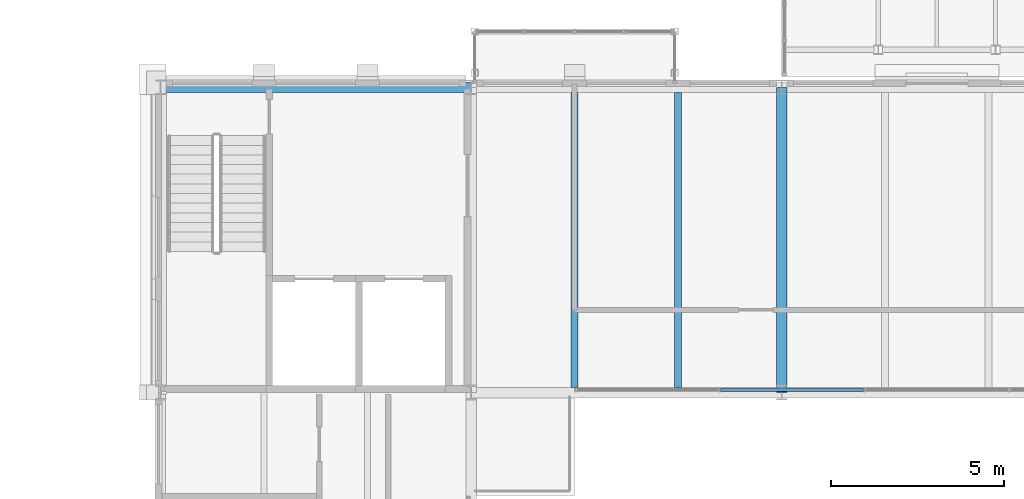
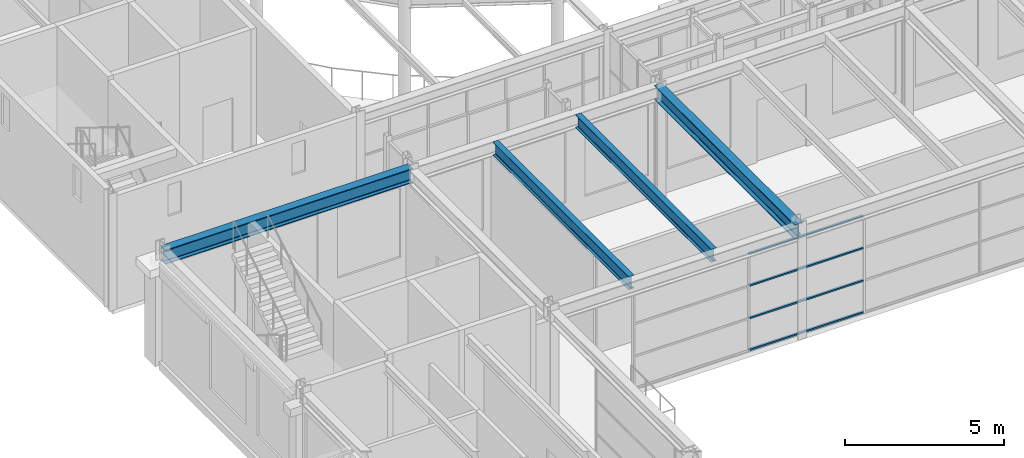
# One storey, part 33 of 111: 4 beams, 4 members, 1 element without a shape of its own.
"""IFC4 building model written with IfcOpenShell, lengths in metres."""

from ifc_helpers import new_model, si_unit, direction, frame, origin, origin_2d, place, context, subcontext, project, spatial, hollow_rectangle, i_section, extrude, material, material_profile, profile_set, type_object, element, aggregate, save


model = new_model("IFC4")

# Units and contexts
model_context = context("Model", 3, precision=1e-05, world=origin(), true_north=direction((0.0, 1.0)))
body_context = subcontext(model_context, "Body", "Model", "MODEL_VIEW")
ifc_project = project(units=[si_unit("LENGTHUNIT", "METRE"), si_unit("AREAUNIT", "SQUARE_METRE"), si_unit("VOLUMEUNIT", "CUBIC_METRE"), si_unit("PLANEANGLEUNIT", "RADIAN"), si_unit("MASSUNIT", "GRAM", prefix="KILO")], contexts=[model_context])

# Site, building, storey
site_placement = place(None, origin())
site = spatial("IfcSite", under=ifc_project, at=site_placement, CompositionType="ELEMENT")
building_placement = place(site_placement, origin())
building = spatial("IfcBuilding", under=site, at=building_placement, Name="Kallimachos Central Library", CompositionType="ELEMENT")
storey_placement = place(building_placement, frame((0.0, 0.0, 14.39990234375)))
storey = spatial("IfcBuildingStorey", under=building, at=storey_placement, Name="L03", CompositionType="ELEMENT", Elevation=14.39990234375)

# Curtain wall, members
ifc_material_1 = material(Name="Aluminium and laminated glass", Category="aluminium")
curtain_wall_type = type_object("IfcCurtainWallType", Name="Atrium glazed screen", PredefinedType="NOTDEFINED", material=ifc_material_1)
curtain_wall_placement = place(storey_placement, origin())
curtain_wall = element("IfcCurtainWall", 1, at=curtain_wall_placement, inside=storey, type_object=curtain_wall_type, Name="L03 atrium screen N", PredefinedType="NOTDEFINED")
ifc_material_2 = material(Name="Anodised aluminium", Category="aluminium")
ifc_material_profile_1 = material_profile(ifc_material_2, hollow_rectangle(XDim=0.06005859375, YDim=0.080078125, WallThickness=0.00390625, at=origin_2d()), Name="ALU TRANSOM 60x80")
ifc_profile_set_1 = profile_set([ifc_material_profile_1], Name="Anodised aluminium")
member_type = type_object("IfcMemberType", Name="Atrium screen transom", PredefinedType="USERDEFINED", material=ifc_profile_set_1)
member_1_placement = place(storey_placement, frame((81.72998046875, 75.080078125, 0.030029296875), z_axis=(1.0, 0.0, 0.0), x_axis=(0.0, 0.0, 1.0)))
member_1 = element("IfcMember", 2, at=member_1_placement, type_object=member_type, Name="CW transom 2.1", ObjectType="TRANSOM", PredefinedType="USERDEFINED", context=body_context, shape_type="SweptSolid", body=[
    extrude(hollow_rectangle(XDim=0.06005859375, YDim=0.080078125, WallThickness=0.00390625, at=origin_2d()), origin(), (0.0, 0.0, 1.0), 4.14013671875),
])
member_2_placement = place(storey_placement, frame((81.72998046875, 75.080078125, 1.25), z_axis=(1.0, 0.0, 0.0), x_axis=(0.0, 0.0, 1.0)))
member_2 = element("IfcMember", 3, at=member_2_placement, type_object=member_type, Name="CW transom 2.2", ObjectType="TRANSOM", PredefinedType="USERDEFINED", context=body_context, shape_type="SweptSolid", body=[
    extrude(hollow_rectangle(XDim=0.06005859375, YDim=0.080078125, WallThickness=0.00390625, at=origin_2d()), origin(), (0.0, 0.0, 1.0), 4.14013671875),
])
member_3_placement = place(storey_placement, frame((81.72998046875, 75.080078125, 2.5), z_axis=(1.0, 0.0, 0.0), x_axis=(0.0, 0.0, 1.0)))
member_3 = element("IfcMember", 4, at=member_3_placement, type_object=member_type, Name="CW transom 2.3", ObjectType="TRANSOM", PredefinedType="USERDEFINED", context=body_context, shape_type="SweptSolid", body=[
    extrude(hollow_rectangle(XDim=0.06005859375, YDim=0.080078125, WallThickness=0.00390625, at=origin_2d()), origin(), (0.0, 0.0, 1.0), 4.14013671875),
])
member_4_placement = place(storey_placement, frame((81.72998046875, 75.080078125, 3.72021484375), z_axis=(1.0, 0.0, 0.0), x_axis=(0.0, 0.0, 1.0)))
member_4 = element("IfcMember", 5, at=member_4_placement, type_object=member_type, Name="CW transom 2.4", ObjectType="TRANSOM", PredefinedType="USERDEFINED", context=body_context, shape_type="SweptSolid", body=[
    extrude(hollow_rectangle(XDim=0.06005859375, YDim=0.080078125, WallThickness=0.00390625, at=origin_2d()), origin(), (0.0, 0.0, 1.0), 4.14013671875),
])
aggregate(curtain_wall, [member_1, member_2, member_3, member_4])

# Beams
ifc_material_3 = material(Name="Steel S355J2", Category="steel")
ifc_material_profile_2 = material_profile(ifc_material_3, i_section(OverallWidth=0.300048828125, OverallDepth=0.550048828125, WebThickness=0.014892578125, FlangeThickness=0.029052734375, FilletRadius=0.027099609375, at=origin_2d()), Name="HEB 550")
ifc_profile_set_2 = profile_set([ifc_material_profile_2], Name="Steel S355J2")
beam_type_1 = type_object("IfcBeamType", Name="HEB 550 beam", PredefinedType="BEAM", material=ifc_profile_set_2)
beam_1_placement = place(storey_placement, frame((65.5, 83.85009765625, 4.025146484375), z_axis=(1.0, 0.0, 0.0), x_axis=(0.0, 1.0, 0.0)))
element("IfcBeam", 6, at=beam_1_placement, inside=storey, type_object=beam_type_1, Name="V4-BEM-L03-004", PredefinedType="BEAM", context=body_context, shape_type="SweptSolid", body=[
    extrude(i_section(OverallWidth=0.300048828125, OverallDepth=0.550048828125, WebThickness=0.014892578125, FlangeThickness=0.029052734375, FilletRadius=0.027099609375, at=origin_2d()), origin(), (0.0, 0.0, 1.0), 9.0),
])
beam_2_placement = place(storey_placement, frame((83.5, 75.0, 4.025146484375), z_axis=(0.0, 1.0, 0.0), x_axis=(-1.0, 0.0, 0.0)))
element("IfcBeam", 7, at=beam_2_placement, inside=storey, type_object=beam_type_1, Name="V4-BEM-L03-011", PredefinedType="BEAM", context=body_context, shape_type="SweptSolid", body=[
    extrude(i_section(OverallWidth=0.300048828125, OverallDepth=0.550048828125, WebThickness=0.014892578125, FlangeThickness=0.029052734375, FilletRadius=0.027099609375, at=origin_2d()), origin(), (0.0, 0.0, 1.0), 8.85009765625),
])
ifc_material_4 = material(Name="Steel S355J2", Category="steel")
ifc_material_profile_3 = material_profile(ifc_material_4, i_section(OverallWidth=0.199951171875, OverallDepth=0.5, WebThickness=0.01025390625, FlangeThickness=0.01611328125, FilletRadius=0.02099609375, at=origin_2d()), Name="IPE 500")
ifc_profile_set_3 = profile_set([ifc_material_profile_3], Name="Steel S355J2")
beam_type_2 = type_object("IfcBeamType", Name="IPE 500 beam", PredefinedType="BEAM", material=ifc_profile_set_3)
for number, where, z_axis, x_axis, name in (
    (8, (77.5, 75.14990234375, 4.050048828125), (0.0, 1.0, 0.0), (-1.0, 0.0, 0.0), "V4-BEM-L03-015"),
    (9, (80.5, 75.14990234375, 4.050048828125), (0.0, 1.0, 0.0), (-1.0, 0.0, 0.0), "V4-BEM-L03-016"),
):
    element("IfcBeam", number, at=place(storey_placement, frame(where, z_axis=z_axis, x_axis=x_axis)), inside=storey, type_object=beam_type_2, Name=name, PredefinedType="BEAM", context=body_context, shape_type="SweptSolid", body=[
        extrude(i_section(OverallWidth=0.199951171875, OverallDepth=0.5, WebThickness=0.01025390625, FlangeThickness=0.01611328125, FilletRadius=0.02099609375, at=origin_2d()), origin(), (0.0, 0.0, 1.0), 8.550048828125),
    ])

save(model, "model.ifc")
